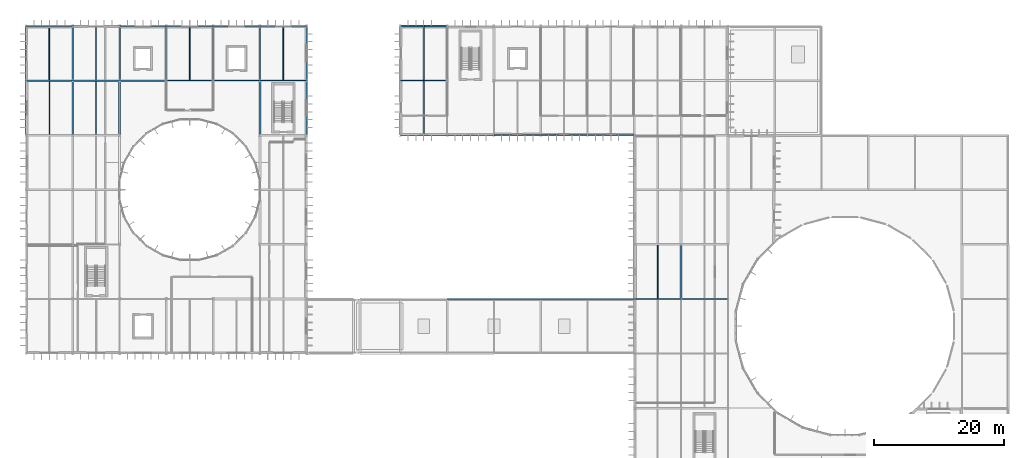
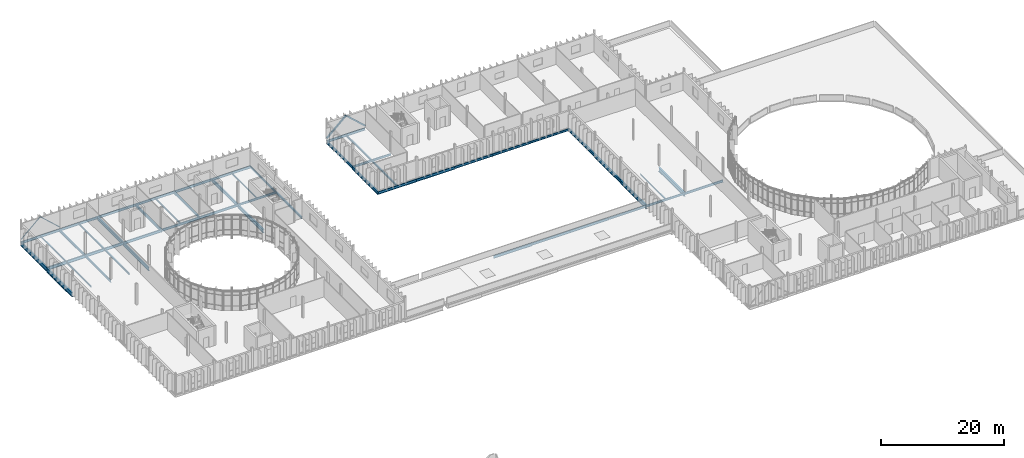
# One storey, part 26 of 61: 52 beams, 4 members.
"""IFC4 building model written with IfcOpenShell, lengths in metres."""

from ifc_helpers import new_model, si_unit, direction, frame, origin, origin_2d, place, context, subcontext, project, spatial, hollow_rectangle, hollow_circle, i_section, extrude, material, material_profile, profile_set, type_object, element, save


model = new_model("IFC4")

# Units and contexts
model_context = context("Model", 3, precision=1e-05, world=origin(), true_north=direction((0.0, 1.0)))
body_context = subcontext(model_context, "Body", "Model", "MODEL_VIEW")
ifc_project = project(units=[si_unit("LENGTHUNIT", "METRE"), si_unit("AREAUNIT", "SQUARE_METRE"), si_unit("VOLUMEUNIT", "CUBIC_METRE"), si_unit("PLANEANGLEUNIT", "RADIAN"), si_unit("MASSUNIT", "GRAM", prefix="KILO")], contexts=[model_context])

# Site, building, storey
site_placement = place(None, origin())
site = spatial("IfcSite", under=ifc_project, at=site_placement, CompositionType="ELEMENT")
building_placement = place(site_placement, origin())
building = spatial("IfcBuilding", under=site, at=building_placement, Name="Qelthora Terrace Specialist Clinic", CompositionType="ELEMENT")
storey_placement = place(building_placement, frame((0.0, 0.0, 13.199951171875)))
storey = spatial("IfcBuildingStorey", under=building, at=storey_placement, Name="L03", CompositionType="ELEMENT", Elevation=13.199951171875)

# Beams
ifc_material = material(Name="Steel S355", Category="steel")
ifc_material_profile_1 = material_profile(ifc_material, i_section(OverallWidth=0.178955078125, OverallDepth=0.409912109375, WebThickness=0.0087890625, FlangeThickness=0.014404296875, FilletRadius=0.011962890625, at=origin_2d()), Name="W410X67")
ifc_profile_set_1 = profile_set([ifc_material_profile_1], Name="Steel S355")
beam_type_1 = type_object("IfcBeamType", Name="BM-W410X67", PredefinedType="BEAM", material=ifc_profile_set_1)
for number, where, z_axis, x_axis, name in (
    (1, (93.60009765625, 67.199951171875, -0.454833984375), (1.0, 0.0, 0.0), (0.0, 1.0, 0.0), "Girder BMX-L03-0962"),
    (2, (57.60009765625, 100.800048828125, -0.454833984375), (1.0, 0.0, 0.0), (0.0, 1.0, 0.0), "Girder BMX-L03-1004"),
):
    element("IfcBeam", number, at=place(storey_placement, frame(where, z_axis=z_axis, x_axis=x_axis)), inside=storey, type_object=beam_type_1, Name=name, PredefinedType="BEAM", context=body_context, shape_type="SweptSolid", body=[
        extrude(i_section(OverallWidth=0.178955078125, OverallDepth=0.409912109375, WebThickness=0.0087890625, FlangeThickness=0.014404296875, FilletRadius=0.011962890625, at=origin_2d()), origin(), (0.0, 0.0, 1.0), 7.199951171875),
    ])
beam_1_placement = place(storey_placement, frame((43.199951171875, 100.800048828125, -0.454833984375), z_axis=(0.0, 1.0, 0.0), x_axis=(-1.0, 0.0, 0.0)))
element("IfcBeam", 3, at=beam_1_placement, inside=storey, type_object=beam_type_1, Name="Girder BMY-L03-1060", PredefinedType="BEAM", context=body_context, shape_type="SweptSolid", body=[
    extrude(i_section(OverallWidth=0.178955078125, OverallDepth=0.409912109375, WebThickness=0.0087890625, FlangeThickness=0.014404296875, FilletRadius=0.011962890625, at=origin_2d()), origin(), (0.0, 0.0, 1.0), 8.39990234375),
])
ifc_material_profile_2 = material_profile(ifc_material, i_section(OverallWidth=0.179931640625, OverallDepth=0.4130859375, WebThickness=0.009765625, FlangeThickness=0.01611328125, FilletRadius=0.011962890625, at=origin_2d()), Name="W410X75")
ifc_profile_set_2 = profile_set([ifc_material_profile_2], Name="Steel S355")
beam_type_2 = type_object("IfcBeamType", Name="BM-W410X75", PredefinedType="BEAM", material=ifc_profile_set_2)
for number, where, z_axis, x_axis, name in (
    (4, (86.39990234375, 67.199951171875, -0.45654296875), (1.0, 0.0, 0.0), (0.0, 1.0, 0.0), "Girder BMX-L03-0961"),
    (5, (86.39990234375, 92.39990234375, -0.45654296875), (1.0, 0.0, 0.0), (0.0, 1.0, 0.0), "Girder BMX-L03-0989"),
):
    element("IfcBeam", number, at=place(storey_placement, frame(where, z_axis=z_axis, x_axis=x_axis)), inside=storey, type_object=beam_type_2, Name=name, PredefinedType="BEAM", context=body_context, shape_type="SweptSolid", body=[
        extrude(i_section(OverallWidth=0.179931640625, OverallDepth=0.4130859375, WebThickness=0.009765625, FlangeThickness=0.01611328125, FilletRadius=0.011962890625, at=origin_2d()), origin(), (0.0, 0.0, 1.0), 7.2001953125),
    ])
beam_2_placement = place(storey_placement, frame((36.0, 100.800048828125, -0.45654296875), z_axis=(1.0, 0.0, 0.0), x_axis=(0.0, 1.0, 0.0)))
element("IfcBeam", 6, at=beam_2_placement, inside=storey, type_object=beam_type_2, Name="Girder BMX-L03-1003", PredefinedType="BEAM", context=body_context, shape_type="SweptSolid", body=[
    extrude(i_section(OverallWidth=0.179931640625, OverallDepth=0.4130859375, WebThickness=0.009765625, FlangeThickness=0.01611328125, FilletRadius=0.011962890625, at=origin_2d()), origin(), (0.0, 0.0, 1.0), 7.199951171875),
])
beam_3_placement = place(storey_placement, frame((43.199951171875, 92.39990234375, -0.45654296875), z_axis=(0.0, 1.0, 0.0), x_axis=(-1.0, 0.0, 0.0)))
element("IfcBeam", 7, at=beam_3_placement, inside=storey, type_object=beam_type_2, Name="Girder BMY-L03-1059", PredefinedType="BEAM", context=body_context, shape_type="SweptSolid", body=[
    extrude(i_section(OverallWidth=0.179931640625, OverallDepth=0.4130859375, WebThickness=0.009765625, FlangeThickness=0.01611328125, FilletRadius=0.011962890625, at=origin_2d()), origin(), (0.0, 0.0, 1.0), 8.400146484375),
])
ifc_material_profile_3 = material_profile(ifc_material, i_section(OverallWidth=0.19091796875, OverallDepth=0.4599609375, WebThickness=0.010009765625, FlangeThickness=0.01611328125, FilletRadius=0.012939453125, at=origin_2d()), Name="W460X82")
ifc_profile_set_3 = profile_set([ifc_material_profile_3], Name="Steel S355")
beam_type_3 = type_object("IfcBeamType", Name="BM-W460X82", PredefinedType="BEAM", material=ifc_profile_set_3)
for number, where, z_axis, x_axis, name in (
    (8, (79.199951171875, 67.199951171875, -0.47998046875), (1.0, 0.0, 0.0), (0.0, 1.0, 0.0), "Girder BMX-L03-0960"),
    (9, (100.800048828125, 67.199951171875, -0.47998046875), (1.0, 0.0, 0.0), (0.0, 1.0, 0.0), "Girder BMX-L03-0963"),
    (10, (79.199951171875, 92.39990234375, -0.47998046875), (1.0, 0.0, 0.0), (0.0, 1.0, 0.0), "Girder BMX-L03-0988"),
    (11, (28.800048828125, 100.800048828125, -0.47998046875), (1.0, 0.0, 0.0), (0.0, 1.0, 0.0), "Girder BMX-L03-1002"),
):
    element("IfcBeam", number, at=place(storey_placement, frame(where, z_axis=z_axis, x_axis=x_axis)), inside=storey, type_object=beam_type_3, Name=name, PredefinedType="BEAM", context=body_context, shape_type="SweptSolid", body=[
        extrude(i_section(OverallWidth=0.19091796875, OverallDepth=0.4599609375, WebThickness=0.010009765625, FlangeThickness=0.01611328125, FilletRadius=0.012939453125, at=origin_2d()), origin(), (0.0, 0.0, 1.0), 7.199951171875),
    ])
for number, where, z_axis, x_axis, name in (
    (12, (7.199951171875, 100.800048828125, -0.47998046875), (0.0, 1.0, 0.0), (-1.0, 0.0, 0.0), "Girder BMY-L03-1038"),
    (13, (28.800048828125, 100.800048828125, -0.47998046875), (0.0, 1.0, 0.0), (-1.0, 0.0, 0.0), "Girder BMY-L03-1048"),
):
    element("IfcBeam", number, at=place(storey_placement, frame(where, z_axis=z_axis, x_axis=x_axis)), inside=storey, type_object=beam_type_3, Name=name, PredefinedType="BEAM", context=body_context, shape_type="SweptSolid", body=[
        extrude(i_section(OverallWidth=0.19091796875, OverallDepth=0.4599609375, WebThickness=0.010009765625, FlangeThickness=0.01611328125, FilletRadius=0.012939453125, at=origin_2d()), origin(), (0.0, 0.0, 1.0), 8.39990234375),
    ])
ifc_material_profile_4 = material_profile(ifc_material, i_section(OverallWidth=0.193115234375, OverallDepth=0.466064453125, WebThickness=0.011474609375, FlangeThickness=0.01904296875, FilletRadius=0.012939453125, at=origin_2d()), Name="W460X97")
ifc_profile_set_4 = profile_set([ifc_material_profile_4], Name="Steel S355")
beam_type_4 = type_object("IfcBeamType", Name="BM-W460X97", PredefinedType="BEAM", material=ifc_profile_set_4)
for number, where, z_axis, x_axis, name in (
    (14, (72.0, 67.199951171875, -0.48291015625), (1.0, 0.0, 0.0), (0.0, 1.0, 0.0), "Girder BMX-L03-0959"),
    (15, (72.0, 92.39990234375, -0.48291015625), (1.0, 0.0, 0.0), (0.0, 1.0, 0.0), "Girder BMX-L03-0987"),
    (16, (21.60009765625, 100.800048828125, -0.48291015625), (1.0, 0.0, 0.0), (0.0, 1.0, 0.0), "Girder BMX-L03-1001"),
):
    element("IfcBeam", number, at=place(storey_placement, frame(where, z_axis=z_axis, x_axis=x_axis)), inside=storey, type_object=beam_type_4, Name=name, PredefinedType="BEAM", context=body_context, shape_type="SweptSolid", body=[
        extrude(i_section(OverallWidth=0.193115234375, OverallDepth=0.466064453125, WebThickness=0.011474609375, FlangeThickness=0.01904296875, FilletRadius=0.012939453125, at=origin_2d()), origin(), (0.0, 0.0, 1.0), 7.199951171875),
    ])
beam_4_placement = place(storey_placement, frame((7.199951171875, 92.39990234375, -0.48291015625), z_axis=(0.0, 1.0, 0.0), x_axis=(-1.0, 0.0, 0.0)))
element("IfcBeam", 17, at=beam_4_placement, inside=storey, type_object=beam_type_4, Name="Girder BMY-L03-1037", PredefinedType="BEAM", context=body_context, shape_type="SweptSolid", body=[
    extrude(i_section(OverallWidth=0.193115234375, OverallDepth=0.466064453125, WebThickness=0.011474609375, FlangeThickness=0.01904296875, FilletRadius=0.012939453125, at=origin_2d()), origin(), (0.0, 0.0, 1.0), 8.400146484375),
])
ifc_material_profile_5 = material_profile(ifc_material, i_section(OverallWidth=0.2099609375, OverallDepth=0.537109375, WebThickness=0.010986328125, FlangeThickness=0.017333984375, FilletRadius=0.013916015625, at=origin_2d()), Name="W530X101")
ifc_profile_set_5 = profile_set([ifc_material_profile_5], Name="Steel S355")
beam_type_5 = type_object("IfcBeamType", Name="BM-W530X101", PredefinedType="BEAM", material=ifc_profile_set_5)
for number, where, z_axis, x_axis, name in (
    (18, (64.800048828125, 67.199951171875, -0.5185546875), (1.0, 0.0, 0.0), (0.0, 1.0, 0.0), "Girder BMX-L03-0958"),
    (19, (64.800048828125, 92.39990234375, -0.5185546875), (1.0, 0.0, 0.0), (0.0, 1.0, 0.0), "Girder BMX-L03-0986"),
):
    element("IfcBeam", number, at=place(storey_placement, frame(where, z_axis=z_axis, x_axis=x_axis)), inside=storey, type_object=beam_type_5, Name=name, PredefinedType="BEAM", context=body_context, shape_type="SweptSolid", body=[
        extrude(i_section(OverallWidth=0.2099609375, OverallDepth=0.537109375, WebThickness=0.010986328125, FlangeThickness=0.017333984375, FilletRadius=0.013916015625, at=origin_2d()), origin(), (0.0, 0.0, 1.0), 7.199951171875),
    ])
beam_5_placement = place(storey_placement, frame((14.39990234375, 100.800048828125, -0.5185546875), z_axis=(1.0, 0.0, 0.0), x_axis=(0.0, 1.0, 0.0)))
element("IfcBeam", 20, at=beam_5_placement, inside=storey, type_object=beam_type_5, Name="Girder BMX-L03-1000", PredefinedType="BEAM", context=body_context, shape_type="SweptSolid", body=[
    extrude(i_section(OverallWidth=0.2099609375, OverallDepth=0.537109375, WebThickness=0.010986328125, FlangeThickness=0.017333984375, FilletRadius=0.013916015625, at=origin_2d()), origin(), (0.0, 0.0, 1.0), 7.2001953125),
])
beam_6_placement = place(storey_placement, frame((21.60009765625, 100.800048828125, -0.5185546875), z_axis=(0.0, 1.0, 0.0), x_axis=(-1.0, 0.0, 0.0)))
element("IfcBeam", 21, at=beam_6_placement, inside=storey, type_object=beam_type_5, Name="Girder BMY-L03-1046", PredefinedType="BEAM", context=body_context, shape_type="SweptSolid", body=[
    extrude(i_section(OverallWidth=0.2099609375, OverallDepth=0.537109375, WebThickness=0.010986328125, FlangeThickness=0.017333984375, FilletRadius=0.013916015625, at=origin_2d()), origin(), (0.0, 0.0, 1.0), 8.39990234375),
])
ifc_material_profile_6 = material_profile(ifc_material, i_section(OverallWidth=0.2119140625, OverallDepth=0.5439453125, WebThickness=0.01318359375, FlangeThickness=0.021240234375, FilletRadius=0.013916015625, at=origin_2d()), Name="W530X123")
ifc_profile_set_6 = profile_set([ifc_material_profile_6], Name="Steel S355")
beam_type_6 = type_object("IfcBeamType", Name="BM-W530X123", PredefinedType="BEAM", material=ifc_profile_set_6)
for number, where, z_axis, x_axis, name in (
    (22, (57.60009765625, 92.39990234375, -0.52197265625), (1.0, 0.0, 0.0), (0.0, 1.0, 0.0), "Girder BMX-L03-0985"),
    (23, (7.199951171875, 100.800048828125, -0.52197265625), (1.0, 0.0, 0.0), (0.0, 1.0, 0.0), "Girder BMX-L03-0999"),
):
    element("IfcBeam", number, at=place(storey_placement, frame(where, z_axis=z_axis, x_axis=x_axis)), inside=storey, type_object=beam_type_6, Name=name, PredefinedType="BEAM", context=body_context, shape_type="SweptSolid", body=[
        extrude(i_section(OverallWidth=0.2119140625, OverallDepth=0.5439453125, WebThickness=0.01318359375, FlangeThickness=0.021240234375, FilletRadius=0.013916015625, at=origin_2d()), origin(), (0.0, 0.0, 1.0), 7.199951171875),
    ])
beam_7_placement = place(storey_placement, frame((57.60009765625, 100.800048828125, -0.52197265625), z_axis=(0.0, 1.0, 0.0), x_axis=(-1.0, 0.0, 0.0)))
element("IfcBeam", 24, at=beam_7_placement, inside=storey, type_object=beam_type_6, Name="Girder BMY-L03-1065", PredefinedType="BEAM", context=body_context, shape_type="SweptSolid", body=[
    extrude(i_section(OverallWidth=0.2119140625, OverallDepth=0.5439453125, WebThickness=0.01318359375, FlangeThickness=0.021240234375, FilletRadius=0.013916015625, at=origin_2d()), origin(), (0.0, 0.0, 1.0), 8.39990234375),
])
ifc_material_profile_7 = material_profile(ifc_material, i_section(OverallWidth=0.22900390625, OverallDepth=0.612060546875, WebThickness=0.011962890625, FlangeThickness=0.01953125, FilletRadius=0.01611328125, at=origin_2d()), Name="W610X125")
ifc_profile_set_7 = profile_set([ifc_material_profile_7], Name="Steel S355")
beam_type_7 = type_object("IfcBeamType", Name="BM-W610X125", PredefinedType="BEAM", material=ifc_profile_set_7)
beam_8_placement = place(storey_placement, frame((0.0, 100.800048828125, -0.555908203125), z_axis=(1.0, 0.0, 0.0), x_axis=(0.0, 1.0, 0.0)))
element("IfcBeam", 25, at=beam_8_placement, inside=storey, type_object=beam_type_7, Name="Girder BMX-L03-0998", PredefinedType="BEAM", context=body_context, shape_type="SweptSolid", body=[
    extrude(i_section(OverallWidth=0.22900390625, OverallDepth=0.612060546875, WebThickness=0.011962890625, FlangeThickness=0.01953125, FilletRadius=0.01611328125, at=origin_2d()), origin(), (0.0, 0.0, 1.0), 7.199951171875),
])
ifc_material_profile_8 = material_profile(ifc_material, i_section(OverallWidth=0.22998046875, OverallDepth=0.616943359375, WebThickness=0.01318359375, FlangeThickness=0.022216796875, FilletRadius=0.01611328125, at=origin_2d()), Name="W610X140")
ifc_profile_set_8 = profile_set([ifc_material_profile_8], Name="Steel S355")
beam_type_8 = type_object("IfcBeamType", Name="BM-W610X140", PredefinedType="BEAM", material=ifc_profile_set_8)
for number, where, z_axis, x_axis, name in (
    (26, (14.39990234375, 100.800048828125, -0.558349609375), (0.0, 1.0, 0.0), (-1.0, 0.0, 0.0), "Girder BMY-L03-1044"),
    (27, (36.0, 100.800048828125, -0.558349609375), (0.0, 1.0, 0.0), (-1.0, 0.0, 0.0), "Girder BMY-L03-1054"),
):
    element("IfcBeam", number, at=place(storey_placement, frame(where, z_axis=z_axis, x_axis=x_axis)), inside=storey, type_object=beam_type_8, Name=name, PredefinedType="BEAM", context=body_context, shape_type="SweptSolid", body=[
        extrude(i_section(OverallWidth=0.22998046875, OverallDepth=0.616943359375, WebThickness=0.01318359375, FlangeThickness=0.022216796875, FilletRadius=0.01611328125, at=origin_2d()), origin(), (0.0, 0.0, 1.0), 8.39990234375),
    ])
beam_9_placement = place(storey_placement, frame((57.60009765625, 92.39990234375, -0.558349609375), z_axis=(0.0, 1.0, 0.0), x_axis=(-1.0, 0.0, 0.0)))
element("IfcBeam", 28, at=beam_9_placement, inside=storey, type_object=beam_type_8, Name="Girder BMY-L03-1064", PredefinedType="BEAM", context=body_context, shape_type="SweptSolid", body=[
    extrude(i_section(OverallWidth=0.22998046875, OverallDepth=0.616943359375, WebThickness=0.01318359375, FlangeThickness=0.022216796875, FilletRadius=0.01611328125, at=origin_2d()), origin(), (0.0, 0.0, 1.0), 8.400146484375),
])
beam_10_placement = place(storey_placement, frame((93.60009765625, 84.0, -0.558349609375), z_axis=(0.0, 1.0, 0.0), x_axis=(-1.0, 0.0, 0.0)))
element("IfcBeam", 29, at=beam_10_placement, inside=storey, type_object=beam_type_8, Name="Girder BMY-L03-1084", PredefinedType="BEAM", context=body_context, shape_type="SweptSolid", body=[
    extrude(i_section(OverallWidth=0.22998046875, OverallDepth=0.616943359375, WebThickness=0.01318359375, FlangeThickness=0.022216796875, FilletRadius=0.01611328125, at=origin_2d()), origin(), (0.0, 0.0, 1.0), 8.39990234375),
])
ifc_material_profile_9 = material_profile(ifc_material, i_section(OverallWidth=0.256103515625, OverallDepth=0.693115234375, WebThickness=0.014404296875, FlangeThickness=0.023681640625, FilletRadius=0.01806640625, at=origin_2d()), Name="W690X170")
ifc_profile_set_9 = profile_set([ifc_material_profile_9], Name="Steel S355")
beam_type_9 = type_object("IfcBeamType", Name="BM-W690X170", PredefinedType="BEAM", material=ifc_profile_set_9)
for number, where, z_axis, x_axis, name in (
    (30, (14.39990234375, 92.39990234375, -0.596435546875), (0.0, 1.0, 0.0), (-1.0, 0.0, 0.0), "Girder BMY-L03-1043"),
    (31, (36.0, 92.39990234375, -0.596435546875), (0.0, 1.0, 0.0), (-1.0, 0.0, 0.0), "Girder BMY-L03-1053"),
):
    element("IfcBeam", number, at=place(storey_placement, frame(where, z_axis=z_axis, x_axis=x_axis)), inside=storey, type_object=beam_type_9, Name=name, PredefinedType="BEAM", context=body_context, shape_type="SweptSolid", body=[
        extrude(i_section(OverallWidth=0.256103515625, OverallDepth=0.693115234375, WebThickness=0.014404296875, FlangeThickness=0.023681640625, FilletRadius=0.01806640625, at=origin_2d()), origin(), (0.0, 0.0, 1.0), 8.400146484375),
    ])
beam_11_placement = place(storey_placement, frame((93.60009765625, 75.60009765625, -0.596435546875), z_axis=(0.0, 1.0, 0.0), x_axis=(-1.0, 0.0, 0.0)))
element("IfcBeam", 32, at=beam_11_placement, inside=storey, type_object=beam_type_9, Name="Girder BMY-L03-1083", PredefinedType="BEAM", context=body_context, shape_type="SweptSolid", body=[
    extrude(i_section(OverallWidth=0.256103515625, OverallDepth=0.693115234375, WebThickness=0.014404296875, FlangeThickness=0.023681640625, FilletRadius=0.01806640625, at=origin_2d()), origin(), (0.0, 0.0, 1.0), 8.39990234375),
])
ifc_material_profile_10 = material_profile(ifc_material, i_section(OverallWidth=0.26806640625, OverallDepth=0.77001953125, WebThickness=0.015625, FlangeThickness=0.025390625, FilletRadius=0.01904296875, at=origin_2d()), Name="W760X196")
ifc_profile_set_10 = profile_set([ifc_material_profile_10], Name="Steel S355")
beam_type_10 = type_object("IfcBeamType", Name="BM-W760X196", PredefinedType="BEAM", material=ifc_profile_set_10)
beam_12_placement = place(storey_placement, frame((0.0, 100.800048828125, -0.635009765625), z_axis=(0.0, 1.0, 0.0), x_axis=(-1.0, 0.0, 0.0)))
element("IfcBeam", 33, at=beam_12_placement, inside=storey, type_object=beam_type_10, Name="Girder BMY-L03-1032", PredefinedType="BEAM", context=body_context, shape_type="SweptSolid", body=[
    extrude(i_section(OverallWidth=0.26806640625, OverallDepth=0.77001953125, WebThickness=0.015625, FlangeThickness=0.025390625, FilletRadius=0.01904296875, at=origin_2d()), origin(), (0.0, 0.0, 1.0), 8.39990234375),
])
beam_13_placement = place(storey_placement, frame((93.60009765625, 67.199951171875, -0.635009765625), z_axis=(0.0, 1.0, 0.0), x_axis=(-1.0, 0.0, 0.0)))
element("IfcBeam", 34, at=beam_13_placement, inside=storey, type_object=beam_type_10, Name="Girder BMY-L03-1082", PredefinedType="BEAM", context=body_context, shape_type="SweptSolid", body=[
    extrude(i_section(OverallWidth=0.26806640625, OverallDepth=0.77001953125, WebThickness=0.015625, FlangeThickness=0.025390625, FilletRadius=0.01904296875, at=origin_2d()), origin(), (0.0, 0.0, 1.0), 8.400146484375),
])
ifc_material_profile_11 = material_profile(ifc_material, i_section(OverallWidth=0.2939453125, OverallDepth=0.85107421875, WebThickness=0.01611328125, FlangeThickness=0.02685546875, FilletRadius=0.02001953125, at=origin_2d()), Name="W840X226")
ifc_profile_set_11 = profile_set([ifc_material_profile_11], Name="Steel S355")
beam_type_11 = type_object("IfcBeamType", Name="BM-W840X226", PredefinedType="BEAM", material=ifc_profile_set_11)
for number, where, z_axis, x_axis, name in (
    (35, (0.0, 92.39990234375, -0.675537109375), (0.0, 1.0, 0.0), (-1.0, 0.0, 0.0), "Girder BMY-L03-1031"),
    (36, (100.800048828125, 67.199951171875, -0.675537109375), (0.0, 1.0, 0.0), (-1.0, 0.0, 0.0), "Girder BMY-L03-1091"),
):
    element("IfcBeam", number, at=place(storey_placement, frame(where, z_axis=z_axis, x_axis=x_axis)), inside=storey, type_object=beam_type_11, Name=name, PredefinedType="BEAM", context=body_context, shape_type="SweptSolid", body=[
        extrude(i_section(OverallWidth=0.2939453125, OverallDepth=0.85107421875, WebThickness=0.01611328125, FlangeThickness=0.02685546875, FilletRadius=0.02001953125, at=origin_2d()), origin(), (0.0, 0.0, 1.0), 8.400146484375),
    ])
ifc_material_profile_12 = material_profile(ifc_material, i_section(OverallWidth=0.14599609375, OverallDepth=0.258056640625, WebThickness=0.006103515625, FlangeThickness=0.009033203125, FilletRadius=0.009033203125, at=origin_2d()), Name="W250X33")
ifc_profile_set_12 = profile_set([ifc_material_profile_12], Name="Steel S355")
beam_type_12 = type_object("IfcBeamType", Name="JST-W250X33", PredefinedType="JOIST", material=ifc_profile_set_12)
beam_14_placement = place(storey_placement, frame((25.199951171875, 100.896484375, -0.37890625), z_axis=(0.0, 1.0, 0.0), x_axis=(-1.0, 0.0, 0.0)))
element("IfcBeam", 37, at=beam_14_placement, inside=storey, type_object=beam_type_12, Name="Composite floor joist JST-L03-0228", PredefinedType="JOIST", context=body_context, shape_type="SweptSolid", body=[
    extrude(i_section(OverallWidth=0.14599609375, OverallDepth=0.258056640625, WebThickness=0.006103515625, FlangeThickness=0.009033203125, FilletRadius=0.009033203125, at=origin_2d()), origin(), (0.0, 0.0, 1.0), 8.2080078125),
])
beam_15_placement = place(storey_placement, frame((39.60009765625, 100.889892578125, -0.37890625), z_axis=(0.0, 1.0, 0.0), x_axis=(-1.0, 0.0, 0.0)))
element("IfcBeam", 38, at=beam_15_placement, inside=storey, type_object=beam_type_12, Name="Composite floor joist JST-L03-0234", PredefinedType="JOIST", context=body_context, shape_type="SweptSolid", body=[
    extrude(i_section(OverallWidth=0.14599609375, OverallDepth=0.258056640625, WebThickness=0.006103515625, FlangeThickness=0.009033203125, FilletRadius=0.009033203125, at=origin_2d()), origin(), (0.0, 0.0, 1.0), 8.214599609375),
])
beam_16_placement = place(storey_placement, frame((97.199951171875, 67.28955078125, -0.37890625), z_axis=(0.0, 1.0, 0.0), x_axis=(-1.0, 0.0, 0.0)))
element("IfcBeam", 39, at=beam_16_placement, inside=storey, type_object=beam_type_12, Name="Composite floor joist JST-L03-0246", PredefinedType="JOIST", context=body_context, shape_type="SweptSolid", body=[
    extrude(i_section(OverallWidth=0.14599609375, OverallDepth=0.258056640625, WebThickness=0.006103515625, FlangeThickness=0.009033203125, FilletRadius=0.009033203125, at=origin_2d()), origin(), (0.0, 0.0, 1.0), 8.183349609375),
])
ifc_material_profile_13 = material_profile(ifc_material, i_section(OverallWidth=0.14697265625, OverallDepth=0.261962890625, WebThickness=0.006591796875, FlangeThickness=0.01123046875, FilletRadius=0.009033203125, at=origin_2d()), Name="W250X39")
ifc_profile_set_13 = profile_set([ifc_material_profile_13], Name="Steel S355")
beam_type_13 = type_object("IfcBeamType", Name="JST-W250X39", PredefinedType="JOIST", material=ifc_profile_set_13)
beam_17_placement = place(storey_placement, frame((3.60009765625, 100.91455078125, -0.380859375), z_axis=(0.0, 1.0, 0.0), x_axis=(-1.0, 0.0, 0.0)))
element("IfcBeam", 40, at=beam_17_placement, inside=storey, type_object=beam_type_13, Name="Composite floor joist JST-L03-0221", PredefinedType="JOIST", context=body_context, shape_type="SweptSolid", body=[
    extrude(i_section(OverallWidth=0.14697265625, OverallDepth=0.261962890625, WebThickness=0.006591796875, FlangeThickness=0.01123046875, FilletRadius=0.009033203125, at=origin_2d()), origin(), (0.0, 0.0, 1.0), 8.18994140625),
])
ifc_material_profile_14 = material_profile(ifc_material, i_section(OverallWidth=0.166015625, OverallDepth=0.31298828125, WebThickness=0.006591796875, FlangeThickness=0.01123046875, FilletRadius=0.010009765625, at=origin_2d()), Name="W310X45")
ifc_profile_set_14 = profile_set([ifc_material_profile_14], Name="Steel S355")
beam_type_14 = type_object("IfcBeamType", Name="JST-W310X45", PredefinedType="JOIST", material=ifc_profile_set_14)
beam_18_placement = place(storey_placement, frame((3.60009765625, 92.527099609375, -0.406494140625), z_axis=(0.0, 1.0, 0.0), x_axis=(-1.0, 0.0, 0.0)))
element("IfcBeam", 41, at=beam_18_placement, inside=storey, type_object=beam_type_14, Name="Composite floor joist JST-L03-0220", PredefinedType="JOIST", context=body_context, shape_type="SweptSolid", body=[
    extrude(i_section(OverallWidth=0.166015625, OverallDepth=0.31298828125, WebThickness=0.006591796875, FlangeThickness=0.01123046875, FilletRadius=0.010009765625, at=origin_2d()), origin(), (0.0, 0.0, 1.0), 8.158447265625),
])
beam_19_placement = place(storey_placement, frame((10.800048828125, 100.906005859375, -0.406494140625), z_axis=(0.0, 1.0, 0.0), x_axis=(-1.0, 0.0, 0.0)))
element("IfcBeam", 42, at=beam_19_placement, inside=storey, type_object=beam_type_14, Name="Composite floor joist JST-L03-0226", PredefinedType="JOIST", context=body_context, shape_type="SweptSolid", body=[
    extrude(i_section(OverallWidth=0.166015625, OverallDepth=0.31298828125, WebThickness=0.006591796875, FlangeThickness=0.01123046875, FilletRadius=0.010009765625, at=origin_2d()), origin(), (0.0, 0.0, 1.0), 8.198486328125),
])
ifc_material_profile_15 = material_profile(ifc_material, i_section(OverallWidth=0.1669921875, OverallDepth=0.31689453125, WebThickness=0.007568359375, FlangeThickness=0.01318359375, FilletRadius=0.010009765625, at=origin_2d()), Name="W310X52")
ifc_profile_set_15 = profile_set([ifc_material_profile_15], Name="Steel S355")
beam_type_15 = type_object("IfcBeamType", Name="JST-W310X52", PredefinedType="JOIST", material=ifc_profile_set_15)
beam_20_placement = place(storey_placement, frame((10.800048828125, 92.514892578125, -0.408447265625), z_axis=(0.0, 1.0, 0.0), x_axis=(-1.0, 0.0, 0.0)))
element("IfcBeam", 43, at=beam_20_placement, inside=storey, type_object=beam_type_15, Name="Composite floor joist JST-L03-0225", PredefinedType="JOIST", context=body_context, shape_type="SweptSolid", body=[
    extrude(i_section(OverallWidth=0.1669921875, OverallDepth=0.31689453125, WebThickness=0.007568359375, FlangeThickness=0.01318359375, FilletRadius=0.010009765625, at=origin_2d()), origin(), (0.0, 0.0, 1.0), 8.17919921875),
])
ifc_material_profile_16 = material_profile(ifc_material, i_section(OverallWidth=0.172119140625, OverallDepth=0.35791015625, WebThickness=0.0078125, FlangeThickness=0.01318359375, FilletRadius=0.010986328125, at=origin_2d()), Name="W360X57")
ifc_profile_set_16 = profile_set([ifc_material_profile_16], Name="Steel S355")
beam_type_16 = type_object("IfcBeamType", Name="JST-W360X57", PredefinedType="JOIST", material=ifc_profile_set_16)
beam_21_placement = place(storey_placement, frame((61.199951171875, 100.889404296875, -0.428955078125), z_axis=(0.0, 1.0, 0.0), x_axis=(-1.0, 0.0, 0.0)))
element("IfcBeam", 44, at=beam_21_placement, inside=storey, type_object=beam_type_16, Name="Composite floor joist JST-L03-0236", PredefinedType="JOIST", context=body_context, shape_type="SweptSolid", body=[
    extrude(i_section(OverallWidth=0.172119140625, OverallDepth=0.35791015625, WebThickness=0.0078125, FlangeThickness=0.01318359375, FilletRadius=0.010986328125, at=origin_2d()), origin(), (0.0, 0.0, 1.0), 8.215087890625),
])
ifc_material_profile_17 = material_profile(ifc_material, i_section(OverallWidth=0.202880859375, OverallDepth=0.346923828125, WebThickness=0.0078125, FlangeThickness=0.013427734375, FilletRadius=0.010986328125, at=origin_2d()), Name="W360X64")
ifc_profile_set_17 = profile_set([ifc_material_profile_17], Name="Steel S355")
beam_type_17 = type_object("IfcBeamType", Name="JST-W360X64", PredefinedType="JOIST", material=ifc_profile_set_17)
beam_22_placement = place(storey_placement, frame((61.199951171875, 92.506103515625, -0.42333984375), z_axis=(0.0, 1.0, 0.0), x_axis=(-1.0, 0.0, 0.0)))
element("IfcBeam", 45, at=beam_22_placement, inside=storey, type_object=beam_type_17, Name="Composite floor joist JST-L03-0235", PredefinedType="JOIST", context=body_context, shape_type="SweptSolid", body=[
    extrude(i_section(OverallWidth=0.202880859375, OverallDepth=0.346923828125, WebThickness=0.0078125, FlangeThickness=0.013427734375, FilletRadius=0.010986328125, at=origin_2d()), origin(), (0.0, 0.0, 1.0), 8.204345703125),
])

# Members
ifc_material_profile_18 = material_profile(ifc_material, hollow_circle(Radius=0.083984375, WallThickness=0.008056640625, at=origin_2d()), Name="CHS168X8")
ifc_profile_set_18 = profile_set([ifc_material_profile_18], Name="Steel S355")
member_type_1 = type_object("IfcMemberType", Name="MEM-BRACE-CHS168", PredefinedType="BRACE", material=ifc_profile_set_18)
member_1_placement = place(storey_placement, frame((0.0, 109.199951171875, 0.179931640625), z_axis=(0.740226205678, 0.0, 0.672357913933), x_axis=(0.0, 1.0, 0.0)))
element("IfcMember", 46, at=member_1_placement, inside=storey, type_object=member_type_1, Name="Concentric seismic chevron brace B2-L03A", PredefinedType="BRACE", context=body_context, shape_type="SweptSolid", body=[
    extrude(hollow_circle(Radius=0.083984375, WallThickness=0.008056640625, at=origin_2d()), origin(), (0.0, 0.0, 1.0), 4.863525390625),
])
member_2_placement = place(storey_placement, frame((7.199951171875, 109.199951171875, 0.179931640625), z_axis=(-0.740203511447, 0.0, 0.672382898089), x_axis=(0.0, -1.0, 0.0)))
element("IfcMember", 47, at=member_2_placement, inside=storey, type_object=member_type_1, Name="Concentric seismic chevron brace B2-L03B", PredefinedType="BRACE", context=body_context, shape_type="SweptSolid", body=[
    extrude(hollow_circle(Radius=0.083984375, WallThickness=0.008056640625, at=origin_2d()), origin(), (0.0, 0.0, 1.0), 4.86328125),
])
ifc_material_profile_19 = material_profile(ifc_material, hollow_rectangle(XDim=0.25, YDim=0.25, WallThickness=0.011962890625, at=origin_2d()), Name="HSS250X250X12")
ifc_profile_set_19 = profile_set([ifc_material_profile_19], Name="Steel S355")
member_type_2 = type_object("IfcMemberType", Name="MEM-BRACE-HSS250H", PredefinedType="BRACE", material=ifc_profile_set_19)
member_3_placement = place(storey_placement, frame((57.60009765625, 109.199951171875, 0.179931640625), z_axis=(0.740203511447, 0.0, 0.672382898089), x_axis=(0.0, 1.0, 0.0)))
element("IfcMember", 48, at=member_3_placement, inside=storey, type_object=member_type_2, Name="Concentric seismic chevron brace B7-L03A", PredefinedType="BRACE", context=body_context, shape_type="SweptSolid", body=[
    extrude(hollow_rectangle(XDim=0.25, YDim=0.25, WallThickness=0.011962890625, at=origin_2d()), origin(), (0.0, 0.0, 1.0), 4.86328125),
])
member_4_placement = place(storey_placement, frame((64.800048828125, 109.199951171875, 0.179931640625), z_axis=(-0.740226205678, 0.0, 0.672357913933), x_axis=(0.0, -1.0, 0.0)))
element("IfcMember", 49, at=member_4_placement, inside=storey, type_object=member_type_2, Name="Concentric seismic chevron brace B7-L03B", PredefinedType="BRACE", context=body_context, shape_type="SweptSolid", body=[
    extrude(hollow_rectangle(XDim=0.25, YDim=0.25, WallThickness=0.011962890625, at=origin_2d()), origin(), (0.0, 0.0, 1.0), 4.863525390625),
])

# Beams
ifc_material_profile_20 = material_profile(ifc_material, i_section(OverallWidth=0.19091796875, OverallDepth=0.4599609375, WebThickness=0.010009765625, FlangeThickness=0.01611328125, FilletRadius=0.012939453125, at=origin_2d()), Name="W460X82")
ifc_profile_set_20 = profile_set([ifc_material_profile_20], Name="Steel S355")
beam_type_18 = type_object("IfcBeamType", Name="SPD-W460X82", PredefinedType="SPANDREL", material=ifc_profile_set_20)
for number, where, z_axis, x_axis, name in (
    (50, (0.0, 109.199951171875, -0.47998046875), (1.0, 0.0, 0.0), (0.0, 1.0, 0.0), "Girder BMX-L03-1012"),
    (51, (7.199951171875, 109.199951171875, -0.47998046875), (1.0, 0.0, 0.0), (0.0, 1.0, 0.0), "Girder BMX-L03-1013"),
):
    element("IfcBeam", number, at=place(storey_placement, frame(where, z_axis=z_axis, x_axis=x_axis)), inside=storey, type_object=beam_type_18, Name=name, PredefinedType="SPANDREL", context=body_context, shape_type="SweptSolid", body=[
        extrude(i_section(OverallWidth=0.19091796875, OverallDepth=0.4599609375, WebThickness=0.010009765625, FlangeThickness=0.01611328125, FilletRadius=0.012939453125, at=origin_2d()), origin(), (0.0, 0.0, 1.0), 7.199951171875),
    ])
beam_23_placement = place(storey_placement, frame((14.39990234375, 109.199951171875, -0.47998046875), z_axis=(1.0, 0.0, 0.0), x_axis=(0.0, 1.0, 0.0)))
element("IfcBeam", 52, at=beam_23_placement, inside=storey, type_object=beam_type_18, Name="Girder BMX-L03-1014", PredefinedType="SPANDREL", context=body_context, shape_type="SweptSolid", body=[
    extrude(i_section(OverallWidth=0.19091796875, OverallDepth=0.4599609375, WebThickness=0.010009765625, FlangeThickness=0.01611328125, FilletRadius=0.012939453125, at=origin_2d()), origin(), (0.0, 0.0, 1.0), 7.2001953125),
])
for number, where, z_axis, x_axis, name in (
    (53, (21.60009765625, 109.199951171875, -0.47998046875), (1.0, 0.0, 0.0), (0.0, 1.0, 0.0), "Girder BMX-L03-1015"),
    (54, (28.800048828125, 109.199951171875, -0.47998046875), (1.0, 0.0, 0.0), (0.0, 1.0, 0.0), "Girder BMX-L03-1016"),
    (55, (36.0, 109.199951171875, -0.47998046875), (1.0, 0.0, 0.0), (0.0, 1.0, 0.0), "Girder BMX-L03-1017"),
    (56, (57.60009765625, 109.199951171875, -0.47998046875), (1.0, 0.0, 0.0), (0.0, 1.0, 0.0), "Girder BMX-L03-1018"),
):
    element("IfcBeam", number, at=place(storey_placement, frame(where, z_axis=z_axis, x_axis=x_axis)), inside=storey, type_object=beam_type_18, Name=name, PredefinedType="SPANDREL", context=body_context, shape_type="SweptSolid", body=[
        extrude(i_section(OverallWidth=0.19091796875, OverallDepth=0.4599609375, WebThickness=0.010009765625, FlangeThickness=0.01611328125, FilletRadius=0.012939453125, at=origin_2d()), origin(), (0.0, 0.0, 1.0), 7.199951171875),
    ])

save(model, "model.ifc")
